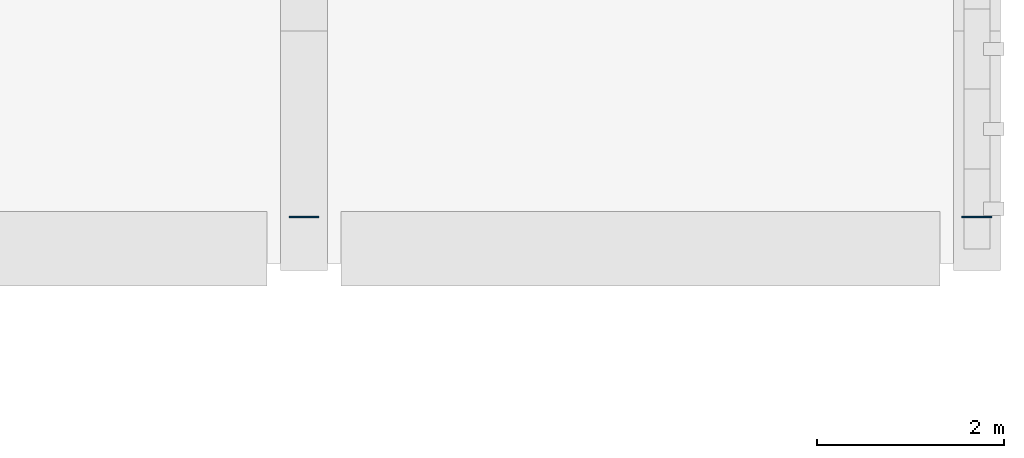
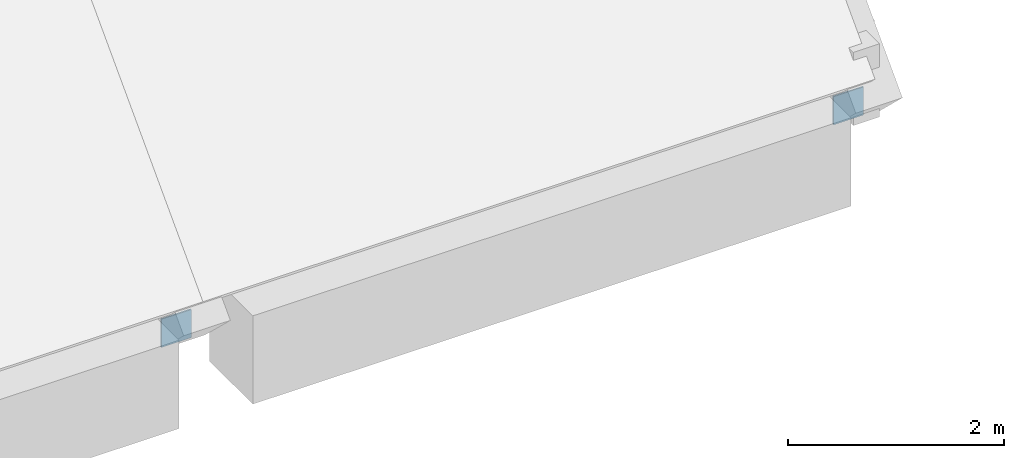
# One storey, part 11 of 16: 2 plates.
"""IFC4 building model written with IfcOpenShell, lengths in metres."""

from ifc_helpers import new_model, si_unit, direction, frame, origin, origin_2d, place, context, subcontext, project, spatial, rectangle, extrude, material, layer, layer_set, type_object, element, save


model = new_model("IFC4")

# Units and contexts
model_context = context("Model", 3, precision=1e-05, world=origin(), true_north=direction((0.0, 1.0)))
body_context = subcontext(model_context, "Body", "Model", "MODEL_VIEW")
ifc_project = project(units=[si_unit("LENGTHUNIT", "METRE"), si_unit("AREAUNIT", "SQUARE_METRE"), si_unit("VOLUMEUNIT", "CUBIC_METRE"), si_unit("PLANEANGLEUNIT", "RADIAN"), si_unit("MASSUNIT", "GRAM", prefix="KILO")], contexts=[model_context])

# Site, building, storey
site_placement = place(None, origin())
site = spatial("IfcSite", under=ifc_project, at=site_placement, CompositionType="ELEMENT")
building_placement = place(site_placement, origin())
building = spatial("IfcBuilding", under=site, at=building_placement, Name="Sardonyx Promenade Sports Hall", CompositionType="ELEMENT")
storey_placement = place(building_placement, frame((0.0, 0.0, 24.800048828125)))
storey = spatial("IfcBuildingStorey", under=building, at=storey_placement, Name="RF", CompositionType="ELEMENT", Elevation=24.800048828125)

# Plates
ifc_material = material(Name="Steel S355JR", Category="steel")
ifc_layer = layer(ifc_material, 0.01611328125)
ifc_layer_set = layer_set([ifc_layer], Name="Plt_EndCap_EC2")
plate_type = type_object("IfcPlateType", Name="Plt_EndCap_EC2", PredefinedType="USERDEFINED", material=ifc_layer_set)
for number, where, z_axis, x_axis, name in (
    (1, (72.0, 72.342041015625, -4.60986328125), (0.0, 0.0, 1.0), (1.0, 0.0, 0.0), "Tie-rod end-cap plate V1 11 S"),
    (2, (79.199951171875, 72.342041015625, -4.60986328125), (0.0, 0.0, 1.0), (1.0, 0.0, 0.0), "Tie-rod end-cap plate V1 12 S"),
):
    element("IfcPlate", number, at=place(storey_placement, frame(where, z_axis=z_axis, x_axis=x_axis)), inside=storey, type_object=plate_type, Name=name, ObjectType="END CAP PLATE", PredefinedType="USERDEFINED", context=body_context, shape_type="SweptSolid", body=[
        extrude(rectangle(XDim=0.320068359375, YDim=0.01611328125, at=origin_2d()), origin(), (0.0, 0.0, 1.0), 0.320068359375),
    ])

save(model, "model.ifc")
